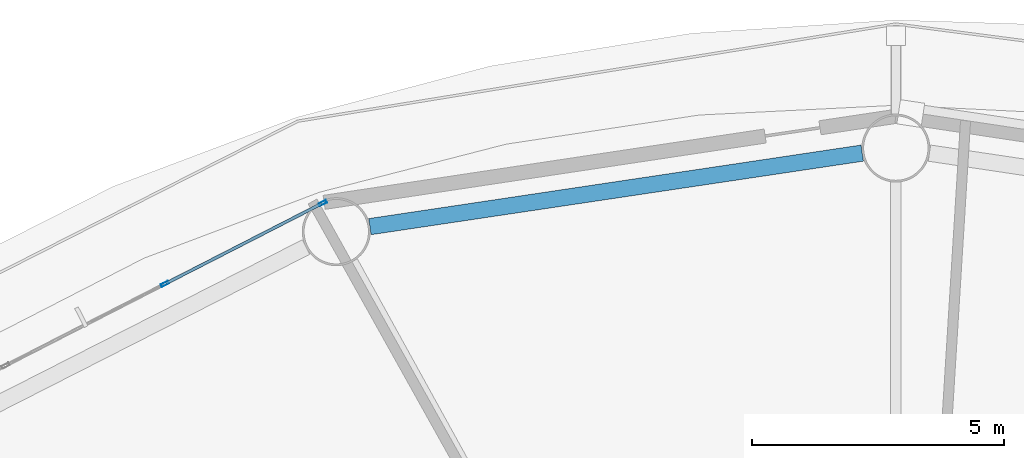
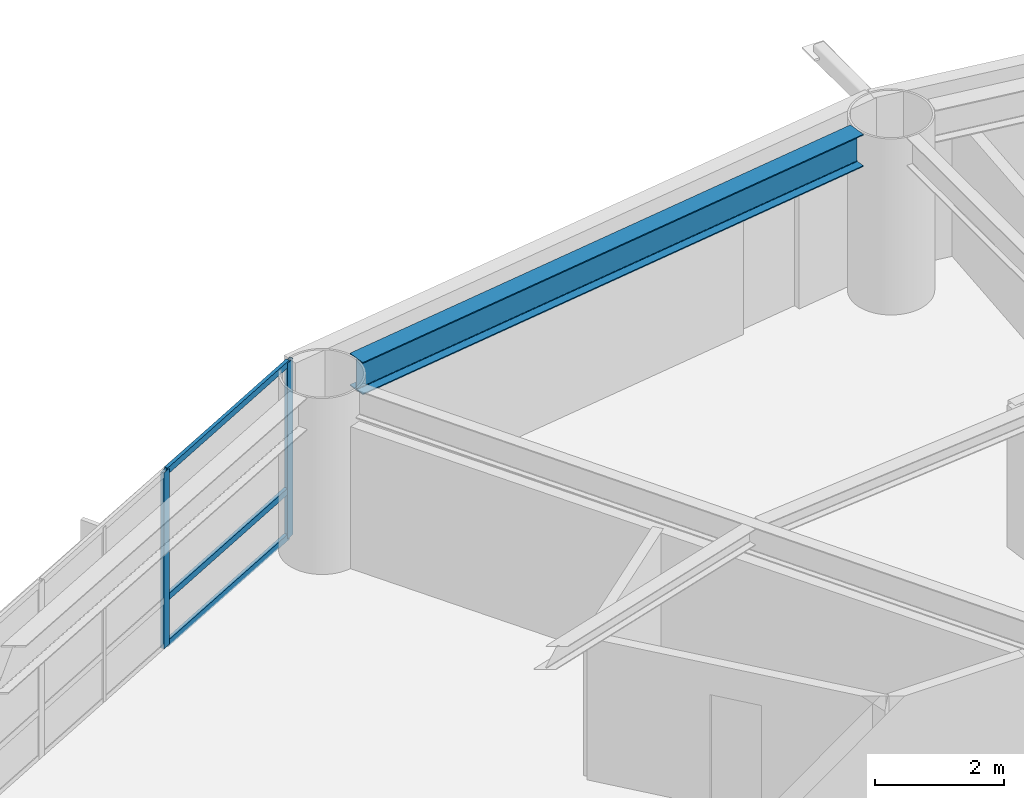
# One storey, part 10 of 24: 5 members, 1 beam, 1 element without a shape of its own.
"""IFC4 building model written with IfcOpenShell, lengths in metres."""

from ifc_helpers import new_model, si_unit, direction, frame, origin, origin_2d, place, context, subcontext, project, spatial, hollow_rectangle, i_section, extrude, material, layer, layer_set, material_profile, profile_set, type_object, element, aggregate, save


model = new_model("IFC4")

# Units and contexts
model_context = context("Model", 3, precision=1e-05, world=origin(), true_north=direction((0.0, 1.0)))
body_context = subcontext(model_context, "Body", "Model", "MODEL_VIEW")
ifc_project = project(units=[si_unit("LENGTHUNIT", "METRE"), si_unit("AREAUNIT", "SQUARE_METRE"), si_unit("VOLUMEUNIT", "CUBIC_METRE"), si_unit("PLANEANGLEUNIT", "RADIAN"), si_unit("MASSUNIT", "GRAM", prefix="KILO")], contexts=[model_context])

# Site, building, storey
site_placement = place(None, origin())
site = spatial("IfcSite", under=ifc_project, at=site_placement, CompositionType="ELEMENT")
building_placement = place(site_placement, origin())
building = spatial("IfcBuilding", under=site, at=building_placement, Name="Sarneth Arch Tower", CompositionType="ELEMENT")
storey_placement = place(building_placement, frame((0.0, 0.0, 130.800048828125)))
storey = spatial("IfcBuildingStorey", under=building, at=storey_placement, Name="L33", CompositionType="ELEMENT", Elevation=130.800048828125)

# Beam
ifc_material_1 = material(Name="Steel S355", Category="steel")
ifc_material_profile_1 = material_profile(ifc_material_1, i_section(OverallWidth=0.323974609375, OverallDepth=0.611083984375, WebThickness=0.0126953125, FlangeThickness=0.01904296875, FilletRadius=0.01904296875, at=origin_2d()), Name="W610x155")
ifc_profile_set_1 = profile_set([ifc_material_profile_1], Name="Steel S355")
beam_type = type_object("IfcBeamType", Name="BM-SPAN-610B", PredefinedType="SPANDREL", material=ifc_profile_set_1)
beam_placement = place(storey_placement, frame((47.33251953125, 63.7001953125, 3.014404296875), z_axis=(-0.989029828744, -0.147715936359, 0.0), x_axis=(0.147715936359, -0.989029828744, 0.0)))
element("IfcBeam", 1, at=beam_placement, inside=storey, type_object=beam_type, Name="L33 Perimeter spandrel beam 05", PredefinedType="SPANDREL", context=body_context, shape_type="SweptSolid", body=[
    extrude(i_section(OverallWidth=0.323974609375, OverallDepth=0.611083984375, WebThickness=0.0126953125, FlangeThickness=0.01904296875, FilletRadius=0.01904296875, at=origin_2d()), origin(), (0.0, 0.0, 1.0), 9.883544921875),
])

# Curtain wall, members
ifc_material_2 = material(Name="Anodised aluminium Type AA25 and solar-control low-e laminated IGU", Category="aluminium")
ifc_layer = layer(ifc_material_2, 0.159912109375)
ifc_layer_set = layer_set([ifc_layer], Name="Anodised aluminium Type AA25 and solar-control low-e laminated IGU")
curtain_wall_type = type_object("IfcCurtainWallType", Name="CW-HOTEL-MID", PredefinedType="NOTDEFINED", material=ifc_layer_set)
curtain_wall_placement = place(storey_placement, origin())
curtain_wall = element("IfcCurtainWall", 2, at=curtain_wall_placement, inside=storey, type_object=curtain_wall_type, Name="L33 Unitised curtain wall facet 06", PredefinedType="NOTDEFINED")
ifc_material_3 = material(Name="Anodised Aluminium 6063-T6", Category="aluminium")
ifc_material_profile_2 = material_profile(ifc_material_3, hollow_rectangle(XDim=0.06005859375, YDim=0.159912109375, WallThickness=0.00390625, at=origin_2d()), Name="AL-MULL-160x60x4")
ifc_profile_set_2 = profile_set([ifc_material_profile_2], Name="Anodised Aluminium 6063-T6")
member_type_1 = type_object("IfcMemberType", Name="CW-MULLION", PredefinedType="MULLION", material=ifc_profile_set_2)
member_1_placement = place(storey_placement, frame((36.6220703125, 62.708984375, 0.0), z_axis=(0.0, 0.0, 1.0), x_axis=(0.456031365356, -0.889963703649, 0.0)))
member_1 = element("IfcMember", 3, at=member_1_placement, type_object=member_type_1, Name="CW-SYS-4 mullion 1", PredefinedType="MULLION", context=body_context, shape_type="SweptSolid", body=[
    extrude(hollow_rectangle(XDim=0.06005859375, YDim=0.159912109375, WallThickness=0.00390625, at=origin_2d()), origin(), (0.0, 0.0, 1.0), 3.320068359375),
])
member_2_placement = place(storey_placement, frame((33.48583984375, 61.101806640625, 0.0), z_axis=(0.0, 0.0, 1.0), x_axis=(0.456031365356, -0.889963703649, 0.0)))
member_2 = element("IfcMember", 4, at=member_2_placement, type_object=member_type_1, Name="CW-SYS-4 mullion 2", PredefinedType="MULLION", context=body_context, shape_type="SweptSolid", body=[
    extrude(hollow_rectangle(XDim=0.06005859375, YDim=0.159912109375, WallThickness=0.00390625, at=origin_2d()), origin(), (0.0, 0.0, 1.0), 3.320068359375),
])
ifc_material_4 = material(Name="Anodised Aluminium 6063-T6", Category="aluminium")
ifc_material_profile_3 = material_profile(ifc_material_4, hollow_rectangle(XDim=0.06005859375, YDim=0.1201171875, WallThickness=0.00390625, at=origin_2d()), Name="AL-TRAN-120x60x4")
ifc_profile_set_3 = profile_set([ifc_material_profile_3], Name="Anodised Aluminium 6063-T6")
member_type_2 = type_object("IfcMemberType", Name="CW-TRANSOM", PredefinedType="USERDEFINED", material=ifc_profile_set_3)
member_3_placement = place(storey_placement, frame((36.595458984375, 62.6953125, 0.030029296875), z_axis=(-0.889957563627, -0.456043347658, 0.0), x_axis=(0.456043347658, -0.889957563627, 0.0)))
member_3 = element("IfcMember", 5, at=member_3_placement, type_object=member_type_2, Name="CW-SYS-4 transom 1.1", ObjectType="TRANSOM", PredefinedType="USERDEFINED", context=body_context, shape_type="SweptSolid", body=[
    extrude(hollow_rectangle(XDim=0.06005859375, YDim=0.1201171875, WallThickness=0.00390625, at=origin_2d()), origin(), (0.0, 0.0, 1.0), 3.464111328125),
])
member_4_placement = place(storey_placement, frame((36.595458984375, 62.6953125, 0.89990234375), z_axis=(-0.889957563627, -0.456043347658, 0.0), x_axis=(0.456043347658, -0.889957563627, 0.0)))
member_4 = element("IfcMember", 6, at=member_4_placement, type_object=member_type_2, Name="CW-SYS-4 transom 1.2", ObjectType="TRANSOM", PredefinedType="USERDEFINED", context=body_context, shape_type="SweptSolid", body=[
    extrude(hollow_rectangle(XDim=0.06005859375, YDim=0.1201171875, WallThickness=0.00390625, at=origin_2d()), origin(), (0.0, 0.0, 1.0), 3.464111328125),
])
member_5_placement = place(storey_placement, frame((36.595458984375, 62.6953125, 3.2900390625), z_axis=(-0.889957563627, -0.456043347658, 0.0), x_axis=(0.456043347658, -0.889957563627, 0.0)))
member_5 = element("IfcMember", 7, at=member_5_placement, type_object=member_type_2, Name="CW-SYS-4 transom 1.3", ObjectType="TRANSOM", PredefinedType="USERDEFINED", context=body_context, shape_type="SweptSolid", body=[
    extrude(hollow_rectangle(XDim=0.06005859375, YDim=0.1201171875, WallThickness=0.00390625, at=origin_2d()), origin(), (0.0, 0.0, 1.0), 3.464111328125),
])
aggregate(curtain_wall, [member_1, member_2, member_3, member_4, member_5])

save(model, "model.ifc")
